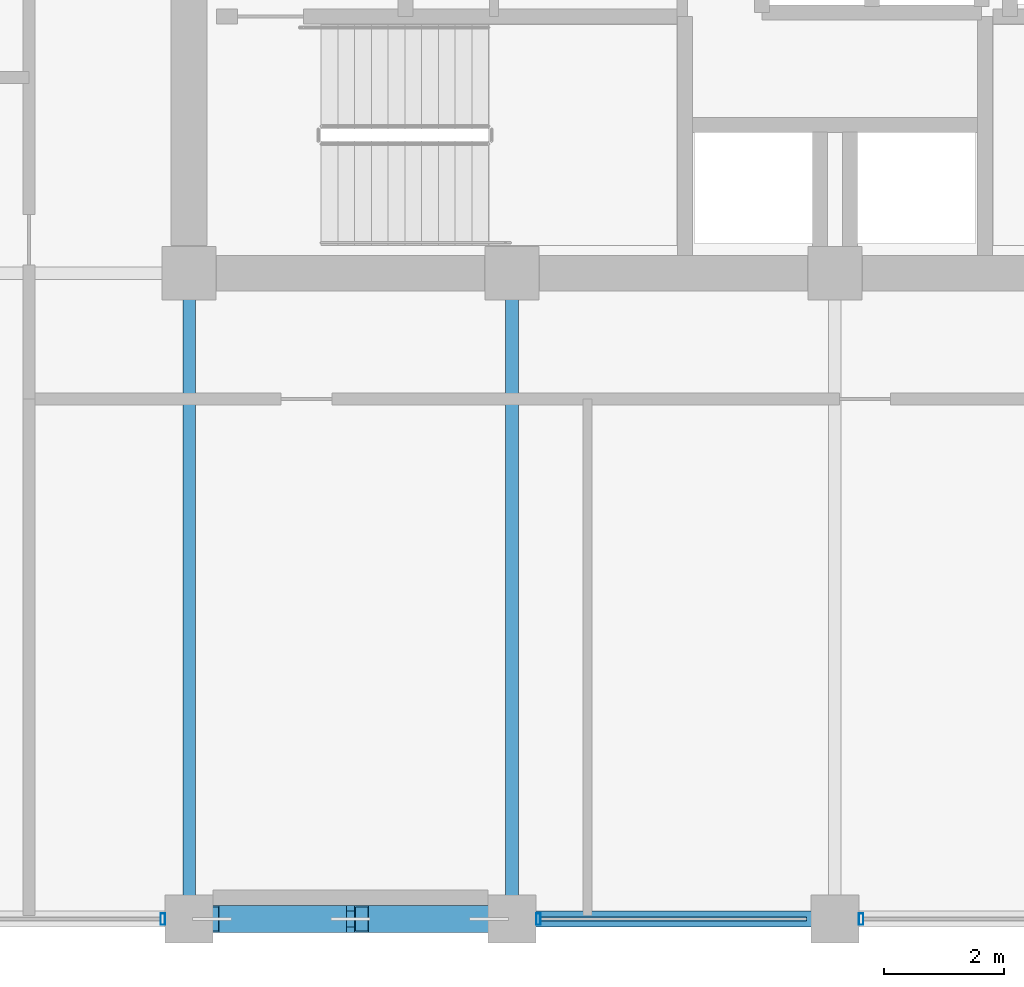
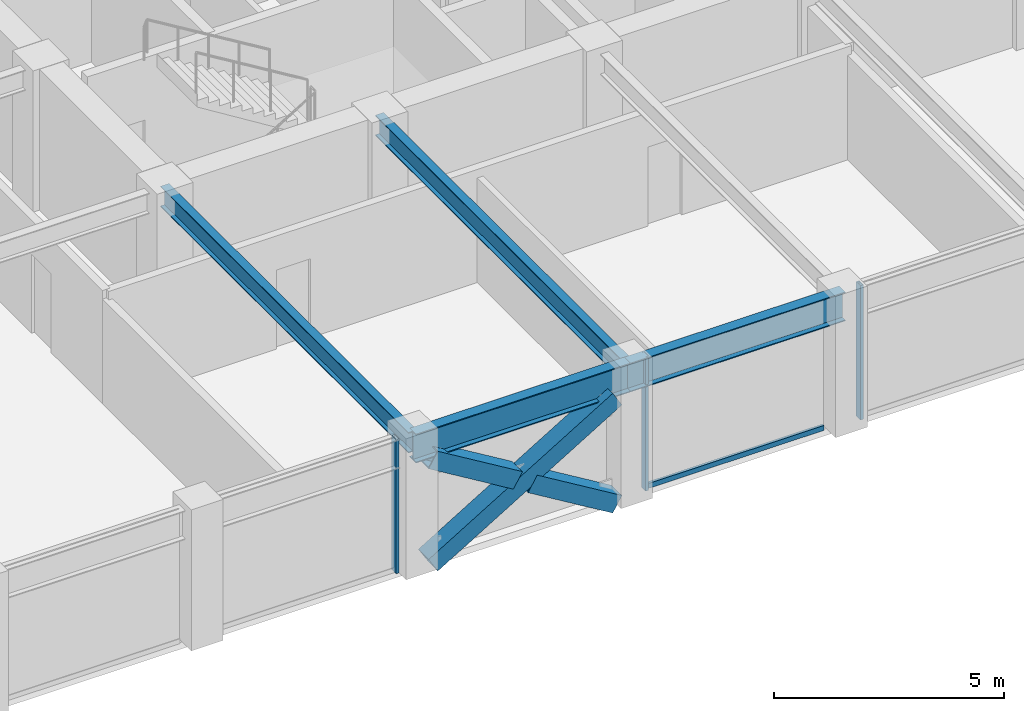
# One storey, part 6 of 30: 7 members, 4 beams, 2 elements without a shape of their own.
"""IFC4 building model written with IfcOpenShell, lengths in metres."""

from ifc_helpers import new_model, si_unit, direction, frame, origin, origin_2d, place, context, subcontext, project, spatial, hollow_rectangle, i_section, extrude, material, layer, layer_set, material_profile, profile_set, type_object, element, aggregate, save


model = new_model("IFC4")

# Units and contexts
model_context = context("Model", 3, precision=1e-05, world=origin(), true_north=direction((0.0, 1.0)))
body_context = subcontext(model_context, "Body", "Model", "MODEL_VIEW")
ifc_project = project(units=[si_unit("LENGTHUNIT", "METRE"), si_unit("AREAUNIT", "SQUARE_METRE"), si_unit("VOLUMEUNIT", "CUBIC_METRE"), si_unit("PLANEANGLEUNIT", "RADIAN"), si_unit("MASSUNIT", "GRAM", prefix="KILO")], contexts=[model_context])

# Site, building, storey
site_placement = place(None, origin())
site = spatial("IfcSite", under=ifc_project, at=site_placement, CompositionType="ELEMENT")
building_placement = place(site_placement, origin())
building = spatial("IfcBuilding", under=site, at=building_placement, Name="Surkhivell Harbour Commons", CompositionType="ELEMENT")
storey_placement = place(building_placement, frame((0.0, 0.0, 227.25)))
storey = spatial("IfcBuildingStorey", under=building, at=storey_placement, Name="L59", CompositionType="ELEMENT", Elevation=227.25)

# Beams
ifc_material_1 = material(Name="Steel S355", Category="steel")
ifc_material_profile_1 = material_profile(ifc_material_1, i_section(OverallWidth=0.2119140625, OverallDepth=0.5439453125, WebThickness=0.0126953125, FlangeThickness=0.021240234375, at=origin_2d()), Name="UB533x210x122")
ifc_profile_set_1 = profile_set([ifc_material_profile_1], Name="Steel S355")
beam_type_1 = type_object("IfcBeamType", Name="BM-GRD-533A", PredefinedType="BEAM", material=ifc_profile_set_1)
for number, where, z_axis, x_axis, name in (
    (1, (-10.800048828125, -21.60009765625, 3.298095703125), (0.0, 1.0, 0.0), (-1.0, 0.0, 0.0), "L59 Floor Girder (-10.8,-21.6)"),
    (2, (-5.39990234375, -21.60009765625, 3.298095703125), (0.0, 1.0, 0.0), (-1.0, 0.0, 0.0), "L59 Floor Girder (-5.4,-21.6)"),
):
    element("IfcBeam", number, at=place(storey_placement, frame(where, z_axis=z_axis, x_axis=x_axis)), inside=storey, type_object=beam_type_1, Name=name, PredefinedType="BEAM", context=body_context, shape_type="SweptSolid", body=[
        extrude(i_section(OverallWidth=0.2119140625, OverallDepth=0.5439453125, WebThickness=0.0126953125, FlangeThickness=0.021240234375, at=origin_2d()), origin(), (0.0, 0.0, 1.0), 10.800048828125),
    ])
ifc_material_profile_2 = material_profile(ifc_material_1, i_section(OverallWidth=0.26806640625, OverallDepth=0.77001953125, WebThickness=0.015625, FlangeThickness=0.025390625, at=origin_2d()), Name="UB762x267x197")
ifc_profile_set_2 = profile_set([ifc_material_profile_2], Name="Steel S355")
beam_type_2 = type_object("IfcBeamType", Name="BM-SPN-762", PredefinedType="SPANDREL", material=ifc_profile_set_2)
beam_1_placement = place(storey_placement, frame((-10.800048828125, -21.60009765625, 3.18505859375), z_axis=(1.0, 0.0, 0.0), x_axis=(0.0, 1.0, 0.0)))
element("IfcBeam", 3, at=beam_1_placement, inside=storey, type_object=beam_type_2, Name="L59 Tube Spandrel (-10.8,-21.6)", PredefinedType="SPANDREL", context=body_context, shape_type="SweptSolid", body=[
    extrude(i_section(OverallWidth=0.26806640625, OverallDepth=0.77001953125, WebThickness=0.015625, FlangeThickness=0.025390625, at=origin_2d()), origin(), (0.0, 0.0, 1.0), 5.400146484375),
])
beam_2_placement = place(storey_placement, frame((-5.39990234375, -21.60009765625, 3.18505859375), z_axis=(1.0, 0.0, 0.0), x_axis=(0.0, 1.0, 0.0)))
element("IfcBeam", 4, at=beam_2_placement, inside=storey, type_object=beam_type_2, Name="L59 Tube Spandrel (-5.4,-21.6)", PredefinedType="SPANDREL", context=body_context, shape_type="SweptSolid", body=[
    extrude(i_section(OverallWidth=0.26806640625, OverallDepth=0.77001953125, WebThickness=0.015625, FlangeThickness=0.025390625, at=origin_2d()), origin(), (0.0, 0.0, 1.0), 5.39990234375),
])

# Curtain wall, member
ifc_material_2 = material(Name="Anodised pale-metal aluminium and insulated glazing", Category="aluminium")
ifc_layer = layer(ifc_material_2, 0.18994140625)
ifc_layer_set = layer_set([ifc_layer], Name="Anodised pale-metal aluminium and insulated glazing")
curtain_wall_type = type_object("IfcCurtainWallType", Name="CW-SYS-Z3", PredefinedType="NOTDEFINED", material=ifc_layer_set)
curtain_wall_1_placement = place(storey_placement, origin())
curtain_wall_1 = element("IfcCurtainWall", 5, at=curtain_wall_1_placement, inside=storey, type_object=curtain_wall_type, Name="L59 Curtain Wall CW-L59-E00S1", PredefinedType="NOTDEFINED")
ifc_material_3 = material(Name="Anodised pale-metal aluminium alloy 6063-T6", Category="aluminium")
ifc_material_profile_3 = material_profile(ifc_material_3, hollow_rectangle(XDim=0.074951171875, YDim=0.18994140625, WallThickness=0.00390625, at=origin_2d()), Name="ALU-MULL-75x190")
ifc_profile_set_3 = profile_set([ifc_material_profile_3], Name="Anodised pale-metal aluminium alloy 6063-T6")
member_type_1 = type_object("IfcMemberType", Name="CWM-190", PredefinedType="MULLION", material=ifc_profile_set_3)
member_1_placement = place(storey_placement, frame((-11.239501953125, -21.60009765625, 0.0), z_axis=(0.0, 0.0, 1.0), x_axis=(1.0, 0.0, 0.0)))
member_1 = element("IfcMember", 6, at=member_1_placement, type_object=member_type_1, Name="CW-Z3 mullion 3", PredefinedType="MULLION", context=body_context, shape_type="SweptSolid", body=[
    extrude(hollow_rectangle(XDim=0.074951171875, YDim=0.18994140625, WallThickness=0.00390625, at=origin_2d()), origin(), (0.0, 0.0, 1.0), 3.570068359375),
])
aggregate(curtain_wall_1, [member_1])

# Curtain wall, members
curtain_wall_2_placement = place(storey_placement, origin())
curtain_wall_2 = element("IfcCurtainWall", 7, at=curtain_wall_2_placement, inside=storey, type_object=curtain_wall_type, Name="L59 Curtain Wall CW-L59-E00S2", PredefinedType="NOTDEFINED")
member_2_placement = place(storey_placement, frame((-4.96044921875, -21.60009765625, 0.0), z_axis=(0.0, 0.0, 1.0), x_axis=(1.0, 0.0, 0.0)))
member_2 = element("IfcMember", 8, at=member_2_placement, type_object=member_type_1, Name="CW-Z3 mullion 1", PredefinedType="MULLION", context=body_context, shape_type="SweptSolid", body=[
    extrude(hollow_rectangle(XDim=0.074951171875, YDim=0.18994140625, WallThickness=0.00390625, at=origin_2d()), origin(), (0.0, 0.0, 1.0), 3.570068359375),
])
member_3_placement = place(storey_placement, frame((0.439453125, -21.60009765625, 0.0), z_axis=(0.0, 0.0, 1.0), x_axis=(1.0, 0.0, 0.0)))
member_3 = element("IfcMember", 9, at=member_3_placement, type_object=member_type_1, Name="CW-Z3 mullion 2", PredefinedType="MULLION", context=body_context, shape_type="SweptSolid", body=[
    extrude(hollow_rectangle(XDim=0.074951171875, YDim=0.18994140625, WallThickness=0.00390625, at=origin_2d()), origin(), (0.0, 0.0, 1.0), 3.570068359375),
])
ifc_material_4 = material(Name="Champagne anodised aluminium alloy 6063-T6", Category="aluminium")
ifc_material_profile_4 = material_profile(ifc_material_4, hollow_rectangle(XDim=0.070068359375, YDim=0.1298828125, WallThickness=0.00341796875, at=origin_2d()), Name="ALU-TRAN-70x130")
ifc_profile_set_4 = profile_set([ifc_material_profile_4], Name="Champagne anodised aluminium alloy 6063-T6")
member_type_2 = type_object("IfcMemberType", Name="CWT-130", PredefinedType="USERDEFINED", material=ifc_profile_set_4)
member_4_placement = place(storey_placement, frame((-4.923095703125, -21.60009765625, 0.06494140625), z_axis=(1.0, 0.0, 0.0), x_axis=(0.0, 1.0, 0.0)))
member_4 = element("IfcMember", 10, at=member_4_placement, type_object=member_type_2, Name="CW-Z3 transom 1.1", ObjectType="TRANSOM", PredefinedType="USERDEFINED", context=body_context, shape_type="SweptSolid", body=[
    extrude(hollow_rectangle(XDim=0.070068359375, YDim=0.1298828125, WallThickness=0.00341796875, at=origin_2d()), origin(), (0.0, 0.0, 1.0), 4.446044921875),
])
aggregate(curtain_wall_2, [member_2, member_4, member_3])

# Members
ifc_material_5 = material(Name="Steel S460", Category="steel")
ifc_material_profile_5 = material_profile(ifc_material_5, hollow_rectangle(XDim=0.449951171875, YDim=0.449951171875, WallThickness=0.02197265625, at=origin_2d()), Name="SHS450x450x22")
ifc_profile_set_5 = profile_set([ifc_material_profile_5], Name="Steel S460")
member_type_3 = type_object("IfcMemberType", Name="MEM-BRC-SHS450", PredefinedType="BRACE", material=ifc_profile_set_5)
member_5_placement = place(storey_placement, frame((-10.4150390625, -21.60009765625, 0.008056640625), z_axis=(0.856035804566, 0.0, 0.516916532238), x_axis=(0.0, 1.0, 0.0)))
element("IfcMember", 11, at=member_5_placement, inside=storey, type_object=member_type_3, Name="L59 Perimeter Mega-Brace MB- 07", PredefinedType="BRACE", context=body_context, shape_type="SweptSolid", body=[
    extrude(hollow_rectangle(XDim=0.449951171875, YDim=0.449951171875, WallThickness=0.02197265625, at=origin_2d()), origin(), (0.0, 0.0, 1.0), 5.40869140625),
])
member_6_placement = place(storey_placement, frame((-5.784912109375, -21.60009765625, 0.008056640625), z_axis=(-0.856061168755, 0.0, 0.516874525731), x_axis=(0.0, -1.0, 0.0)))
element("IfcMember", 12, at=member_6_placement, inside=storey, type_object=member_type_3, Name="L59 Perimeter Mega-Brace MB- 08", PredefinedType="BRACE", context=body_context, shape_type="SweptSolid", body=[
    extrude(hollow_rectangle(XDim=0.449951171875, YDim=0.449951171875, WallThickness=0.02197265625, at=origin_2d()), origin(), (0.0, 0.0, 1.0), 2.48828125),
])
member_7_placement = place(storey_placement, frame((-8.284912109375, -21.60009765625, 1.517578125), z_axis=(-0.856017753989, 0.0, 0.516946423584), x_axis=(0.0, -1.0, 0.0)))
element("IfcMember", 13, at=member_7_placement, inside=storey, type_object=member_type_3, Name="L59 Perimeter Mega-Brace MB- 09", PredefinedType="BRACE", context=body_context, shape_type="SweptSolid", body=[
    extrude(hollow_rectangle(XDim=0.449951171875, YDim=0.449951171875, WallThickness=0.02197265625, at=origin_2d()), origin(), (0.0, 0.0, 1.0), 2.488525390625),
])

save(model, "model.ifc")
